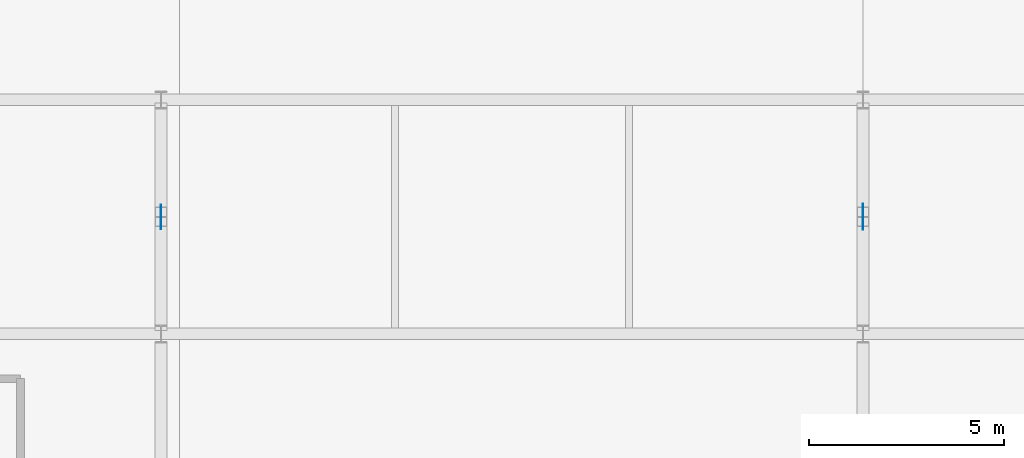
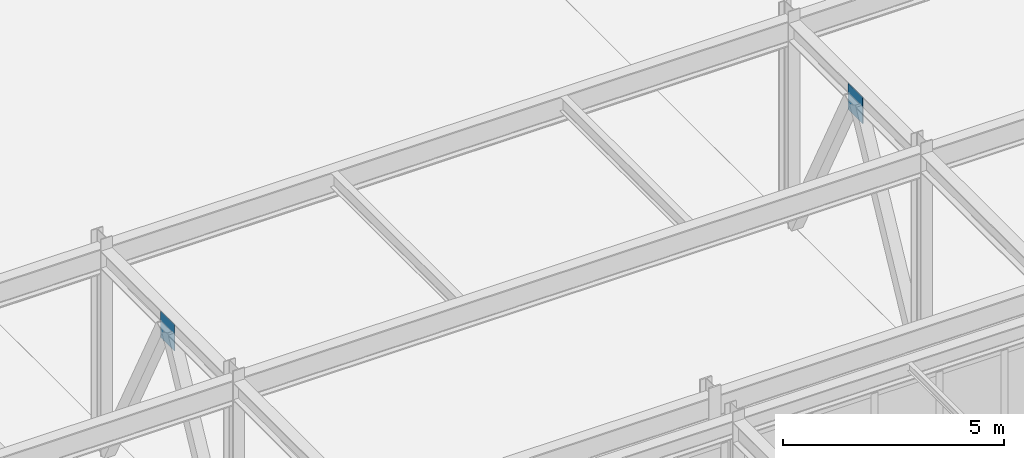
# One storey, part 115 of 146: 2 plates.
"""IFC4 building model written with IfcOpenShell, lengths in metres."""

from ifc_helpers import new_model, si_unit, direction, frame, origin, origin_2d, place, context, subcontext, project, spatial, rectangle, extrude, material, type_object, element, save


model = new_model("IFC4")

# Units and contexts
model_context = context("Model", 3, precision=1e-05, world=origin(), true_north=direction((0.0, 1.0)))
body_context = subcontext(model_context, "Body", "Model", "MODEL_VIEW")
ifc_project = project(units=[si_unit("LENGTHUNIT", "METRE"), si_unit("AREAUNIT", "SQUARE_METRE"), si_unit("VOLUMEUNIT", "CUBIC_METRE"), si_unit("PLANEANGLEUNIT", "RADIAN"), si_unit("MASSUNIT", "GRAM", prefix="KILO")], contexts=[model_context])

# Site, building, storey
site_placement = place(None, origin())
site = spatial("IfcSite", under=ifc_project, at=site_placement, CompositionType="ELEMENT")
building_placement = place(site_placement, origin())
building = spatial("IfcBuilding", under=site, at=building_placement, Name="Kaldris Quays Convention Centre", CompositionType="ELEMENT")
storey_placement = place(building_placement, origin())
storey = spatial("IfcBuildingStorey", under=building, at=storey_placement, Name="L00", CompositionType="ELEMENT", Elevation=0.0)

# Plates
ifc_material = material(Name="Steel S355J2", Category="steel")
plate_type_1 = type_object("IfcPlateType", Name="GUSSET PLATE GP17", PredefinedType="USERDEFINED", material=ifc_material)
plate_1_placement = place(storey_placement, frame((38.0, 65.0, 4.745361328125), z_axis=(0.0, 0.0, 1.0), x_axis=(1.0, 0.0, 0.0)))
element("IfcPlate", 1, at=plate_1_placement, inside=storey, type_object=plate_type_1, Name="CBF Apex Gusset Plate GP17 1", ObjectType="GUSSET PLATE", PredefinedType="USERDEFINED", context=body_context, shape_type="SweptSolid", body=[
    extrude(rectangle(XDim=0.01806640625, YDim=0.6298828125, at=origin_2d()), origin(), (0.0, 0.0, 1.0), 0.72509765625),
])
plate_type_2 = type_object("IfcPlateType", Name="GUSSET PLATE GP18", PredefinedType="USERDEFINED", material=ifc_material)
plate_2_placement = place(storey_placement, frame((56.0, 65.0, 4.745361328125), z_axis=(0.0, 0.0, 1.0), x_axis=(1.0, 0.0, 0.0)))
element("IfcPlate", 2, at=plate_2_placement, inside=storey, type_object=plate_type_2, Name="CBF Apex Gusset Plate GP18 2", ObjectType="GUSSET PLATE", PredefinedType="USERDEFINED", context=body_context, shape_type="SweptSolid", body=[
    extrude(rectangle(XDim=0.02001953125, YDim=0.675048828125, at=origin_2d()), origin(), (0.0, 0.0, 1.0), 0.72509765625),
])

save(model, "model.ifc")
